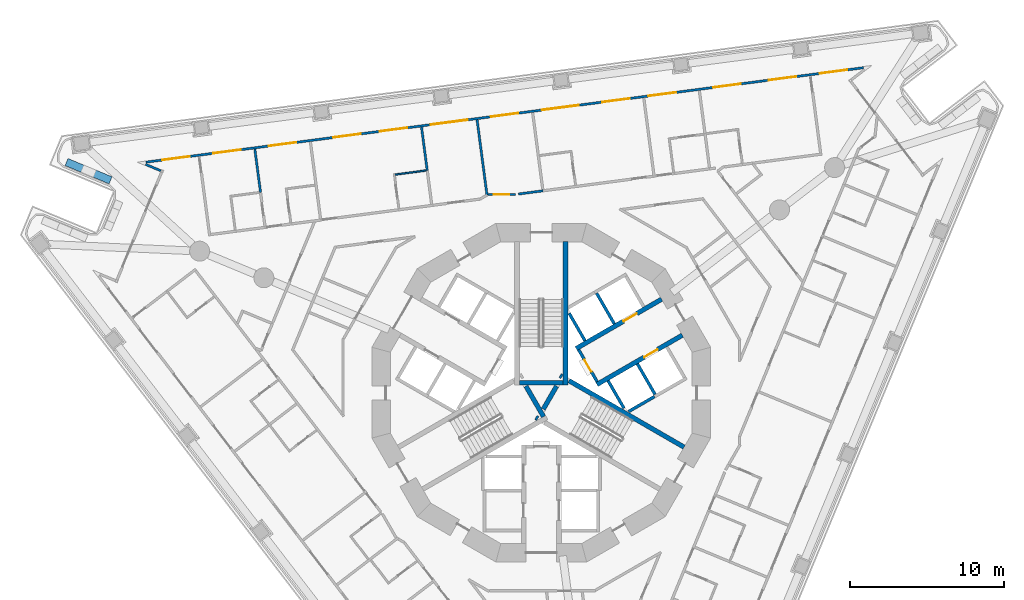
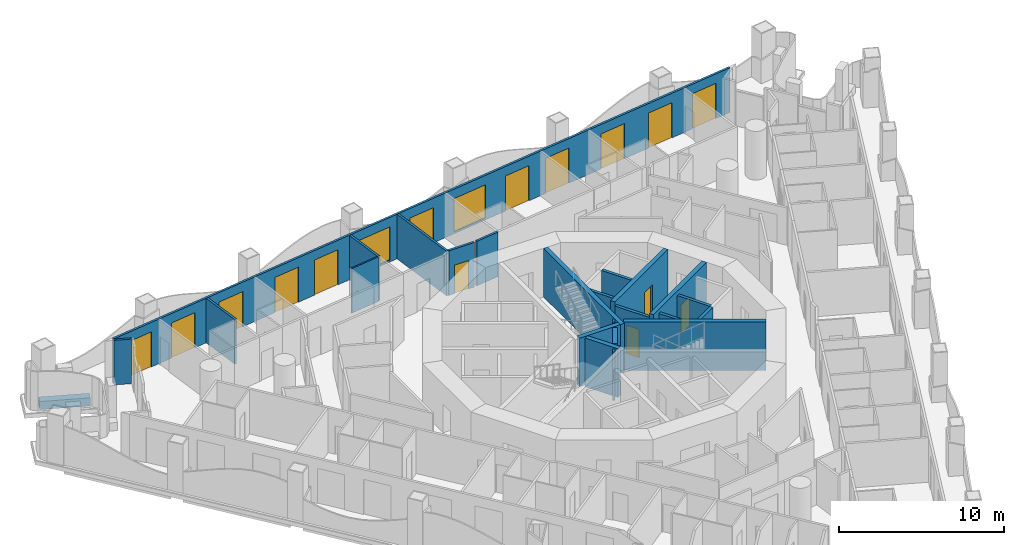
# One storey, part 8 of 19: 24 walls, 15 doors, 2 windows, 17 openings.
"""IFC4 building model written with IfcOpenShell, lengths in metres."""

from ifc_helpers import new_model, si_unit, direction, frame, frame_2d, origin, place, context, subcontext, project, spatial, polyline, rectangle, outline, extrude, material, layer, layer_set, type_object, element, fill, save


model = new_model("IFC4")

# Units and contexts
model_context = context("Model", 3, precision=1e-05, world=origin(), true_north=direction((0.0, 1.0)))
body_context = subcontext(model_context, "Body", "Model", "MODEL_VIEW")
ifc_project = project(units=[si_unit("LENGTHUNIT", "METRE"), si_unit("AREAUNIT", "SQUARE_METRE"), si_unit("VOLUMEUNIT", "CUBIC_METRE"), si_unit("PLANEANGLEUNIT", "RADIAN"), si_unit("MASSUNIT", "GRAM", prefix="KILO")], contexts=[model_context])

# Site, building, storey
site_placement = place(None, origin())
site = spatial("IfcSite", under=ifc_project, at=site_placement, CompositionType="ELEMENT")
building_placement = place(site_placement, origin())
building = spatial("IfcBuilding", under=site, at=building_placement, Name="Trine Commons Tower", CompositionType="ELEMENT")
storey_placement = place(building_placement, frame((0.0, 0.0, 75.60009765625)))
storey = spatial("IfcBuildingStorey", under=building, at=storey_placement, Name="L18", CompositionType="ELEMENT", Elevation=75.60009765625)

# Wall
ifc_material_1 = material(Name="Aluminium-framed insulated wall panel", Category="aluminium")
ifc_layer_1 = layer(ifc_material_1, 0.14990234375)
ifc_layer_set_1 = layer_set([ifc_layer_1], Name="Aluminium-framed insulated wall panel")
wall_type_1 = type_object("IfcWallType", Name="Glazed frame wall 150, EI 60", PredefinedType="SOLIDWALL", material=ifc_layer_set_1)
wall_1_placement = place(storey_placement, frame((55.376220703125, 76.883056640625, 0.0), z_axis=(0.0, 0.0, 1.0), x_axis=(-0.923901801611, 0.382629665579, 0.0)))
element("IfcWall", 1, at=wall_1_placement, inside=storey, type_object=wall_type_1, Name="Glazed frame wall R3", PredefinedType="SOLIDWALL", context=body_context, shape_type="SweptSolid", body=[
    extrude(outline(polyline([(0.110107421875, 0.074951171875), (0.110107421875, -0.074951171875), (1.19580078125, -0.074951171875), (1.19580078125, 0.074951171875), (0.110107421875, 0.074951171875)])), origin(), (0.0, 0.0, 1.0), 3.2998046875),
])

# Wall, openings, windows, doors
wall_2_placement = place(storey_placement, frame((54.142333984375, 77.464599609375, 0.0), z_axis=(0.0, 0.0, 1.0), x_axis=(0.991444696532, 0.130527444308, 0.0)))
wall_2 = element("IfcWall", 2, at=wall_2_placement, inside=storey, type_object=wall_type_1, Name="Glazed frame wall F1", PredefinedType="SOLIDWALL", context=body_context, shape_type="SweptSolid", body=[
    extrude(outline(polyline([(0.1494140625, 0.074951171875), (0.1494140625, -0.074951171875), (47.216796875, -0.074951171875), (47.216796875, 0.074951171875), (0.1494140625, 0.074951171875)])), origin(), (0.0, 0.0, 1.0), 3.2998046875),
])
opening_1_placement = place(wall_2_placement, frame((1.2216796875, 0.0, 0.0)))
opening_1 = element("IfcOpeningElement", 3, at=opening_1_placement, cuts=wall_2, Name="Opening BD-2F1-01", PredefinedType="OPENING", context=body_context, shape_type="SweptSolid", body=[
    extrude(rectangle(XDim=1.800048828125, YDim=2.60009765625, at=frame_2d((0.89990234375, 1.300048828125))), frame((0.0, 0.0849609375, 0.0), z_axis=(0.0, -1.0, 0.0), x_axis=(1.0, 0.0, 0.0)), (0.0, 0.0, 1.0), 0.169921875),
])
opening_2_placement = place(wall_2_placement, frame((4.5654296875, 0.0, 0.0)))
opening_2 = element("IfcOpeningElement", 4, at=opening_2_placement, cuts=wall_2, Name="Opening BD-2F1-02", PredefinedType="OPENING", context=body_context, shape_type="SweptSolid", body=[
    extrude(rectangle(XDim=1.800048828125, YDim=2.60009765625, at=frame_2d((0.89990234375, 1.300048828125))), frame((0.0, 0.0849609375, 0.0), z_axis=(0.0, -1.0, 0.0), x_axis=(1.0, 0.0, 0.0)), (0.0, 0.0, 1.0), 0.169921875),
])
opening_3_placement = place(wall_2_placement, frame((8.208984375, 0.0, 0.0)))
opening_3 = element("IfcOpeningElement", 5, at=opening_3_placement, cuts=wall_2, Name="Opening BD-2F1-03", PredefinedType="OPENING", context=body_context, shape_type="SweptSolid", body=[
    extrude(rectangle(XDim=1.800048828125, YDim=2.60009765625, at=frame_2d((0.89990234375, 1.300048828125))), frame((0.0, 0.0849609375, 0.0), z_axis=(0.0, -1.0, 0.0), x_axis=(1.0, 0.0, 0.0)), (0.0, 0.0, 1.0), 0.169921875),
])
opening_4_placement = place(wall_2_placement, frame((12.45263671875, 0.0, 0.0)))
opening_4 = element("IfcOpeningElement", 6, at=opening_4_placement, cuts=wall_2, Name="Opening BD-2F1-04", PredefinedType="OPENING", context=body_context, shape_type="SweptSolid", body=[
    extrude(rectangle(XDim=1.800048828125, YDim=2.60009765625, at=frame_2d((0.89990234375, 1.300048828125))), frame((0.0, 0.0849609375, 0.0), z_axis=(0.0, -1.0, 0.0), x_axis=(1.0, 0.0, 0.0)), (0.0, 0.0, 1.0), 0.169921875),
])
opening_5_placement = place(wall_2_placement, frame((15.49609375, 0.0, 0.0)))
opening_5 = element("IfcOpeningElement", 7, at=opening_5_placement, cuts=wall_2, Name="Opening BD-2F1-05", PredefinedType="OPENING", context=body_context, shape_type="SweptSolid", body=[
    extrude(rectangle(XDim=1.800048828125, YDim=2.60009765625, at=frame_2d((0.89990234375, 1.300048828125))), frame((0.0, 0.0849609375, 0.0), z_axis=(0.0, -1.0, 0.0), x_axis=(1.0, 0.0, 0.0)), (0.0, 0.0, 1.0), 0.169921875),
])
opening_6_placement = place(wall_2_placement, frame((18.83984375, 0.0, 0.14990234375)))
opening_6 = element("IfcOpeningElement", 8, at=opening_6_placement, cuts=wall_2, Name="Opening W-2F1-06", PredefinedType="OPENING", context=body_context, shape_type="SweptSolid", body=[
    extrude(rectangle(XDim=2.39990234375, YDim=2.449951171875, at=frame_2d((1.199951171875, 1.22509765625))), frame((0.0, 0.0849609375, 0.0), z_axis=(0.0, -1.0, 0.0), x_axis=(1.0, 0.0, 0.0)), (0.0, 0.0, 1.0), 0.169921875),
])
opening_7_placement = place(wall_2_placement, frame((22.783447265625, 0.0, 0.0)))
opening_7 = element("IfcOpeningElement", 9, at=opening_7_placement, cuts=wall_2, Name="Opening BD-2F1-07", PredefinedType="OPENING", context=body_context, shape_type="SweptSolid", body=[
    extrude(rectangle(XDim=1.800048828125, YDim=2.60009765625, at=frame_2d((0.89990234375, 1.300048828125))), frame((0.0, 0.0849609375, 0.0), z_axis=(0.0, -1.0, 0.0), x_axis=(1.0, 0.0, 0.0)), (0.0, 0.0, 1.0), 0.169921875),
])
opening_8_placement = place(wall_2_placement, frame((26.126953125, 0.0, 0.14990234375)))
opening_8 = element("IfcOpeningElement", 10, at=opening_8_placement, cuts=wall_2, Name="Opening W-2F1-08", PredefinedType="OPENING", context=body_context, shape_type="SweptSolid", body=[
    extrude(rectangle(XDim=2.39990234375, YDim=2.449951171875, at=frame_2d((1.199951171875, 1.22509765625))), frame((0.0, 0.0849609375, 0.0), z_axis=(0.0, -1.0, 0.0), x_axis=(1.0, 0.0, 0.0)), (0.0, 0.0, 1.0), 0.169921875),
])
opening_9_placement = place(wall_2_placement, frame((30.070556640625, 0.0, 0.0)))
opening_9 = element("IfcOpeningElement", 11, at=opening_9_placement, cuts=wall_2, Name="Opening BD-2F1-09", PredefinedType="OPENING", context=body_context, shape_type="SweptSolid", body=[
    extrude(rectangle(XDim=1.800048828125, YDim=2.60009765625, at=frame_2d((0.89990234375, 1.300048828125))), frame((0.0, 0.0849609375, 0.0), z_axis=(0.0, -1.0, 0.0), x_axis=(1.0, 0.0, 0.0)), (0.0, 0.0, 1.0), 0.169921875),
])
opening_10_placement = place(wall_2_placement, frame((33.1142578125, 0.0, 0.0)))
opening_10 = element("IfcOpeningElement", 12, at=opening_10_placement, cuts=wall_2, Name="Opening BD-2F1-10", PredefinedType="OPENING", context=body_context, shape_type="SweptSolid", body=[
    extrude(rectangle(XDim=1.800048828125, YDim=2.60009765625, at=frame_2d((0.89990234375, 1.300048828125))), frame((0.0, 0.0849609375, 0.0), z_axis=(0.0, -1.0, 0.0), x_axis=(1.0, 0.0, 0.0)), (0.0, 0.0, 1.0), 0.169921875),
])
opening_11_placement = place(wall_2_placement, frame((37.35791015625, 0.0, 0.0)))
opening_11 = element("IfcOpeningElement", 13, at=opening_11_placement, cuts=wall_2, Name="Opening BD-2F1-11", PredefinedType="OPENING", context=body_context, shape_type="SweptSolid", body=[
    extrude(rectangle(XDim=1.800048828125, YDim=2.60009765625, at=frame_2d((0.89990234375, 1.300048828125))), frame((0.0, 0.0849609375, 0.0), z_axis=(0.0, -1.0, 0.0), x_axis=(1.0, 0.0, 0.0)), (0.0, 0.0, 1.0), 0.169921875),
])
opening_12_placement = place(wall_2_placement, frame((41.00146484375, 0.0, 0.0)))
opening_12 = element("IfcOpeningElement", 14, at=opening_12_placement, cuts=wall_2, Name="Opening BD-2F1-12", PredefinedType="OPENING", context=body_context, shape_type="SweptSolid", body=[
    extrude(rectangle(XDim=1.800048828125, YDim=2.60009765625, at=frame_2d((0.89990234375, 1.300048828125))), frame((0.0, 0.0849609375, 0.0), z_axis=(0.0, -1.0, 0.0), x_axis=(1.0, 0.0, 0.0)), (0.0, 0.0, 1.0), 0.169921875),
])
opening_13_placement = place(wall_2_placement, frame((44.344970703125, 0.0, 0.0)))
opening_13 = element("IfcOpeningElement", 15, at=opening_13_placement, cuts=wall_2, Name="Opening BD-2F1-13", PredefinedType="OPENING", context=body_context, shape_type="SweptSolid", body=[
    extrude(rectangle(XDim=1.800048828125, YDim=2.60009765625, at=frame_2d((0.89990234375, 1.300048828125))), frame((0.0, 0.0849609375, 0.0), z_axis=(0.0, -1.0, 0.0), x_axis=(1.0, 0.0, 0.0)), (0.0, 0.0, 1.0), 0.169921875),
])
ifc_material_2 = material(Name="Anodised aluminium frame with double glazing", Category="aluminium")
window_type = type_object("IfcWindowType", Name="Fixed window 2400x2450", PartitioningType="SINGLE_PANEL", PredefinedType="WINDOW", material=ifc_material_2)
window_1_placement = place(opening_6_placement, origin())
window_1 = element("IfcWindow", 16, at=window_1_placement, inside=storey, type_object=window_type, Name="Window F1 6", OverallHeight=2.449951171875, OverallWidth=2.39990234375, PartitioningType="SINGLE_PANEL", PredefinedType="WINDOW", context=body_context, shape_type="SweptSolid", body=[
    extrude(rectangle(XDim=2.39990234375, YDim=2.449951171875, at=frame_2d((1.199951171875, 1.22509765625))), frame((0.0, 0.030029296875, 0.0), z_axis=(0.0, -1.0, 0.0), x_axis=(1.0, 0.0, 0.0)), (0.0, 0.0, 1.0), 0.06005859375),
])
fill(opening_6, window_1)
window_2_placement = place(opening_8_placement, origin())
window_2 = element("IfcWindow", 17, at=window_2_placement, inside=storey, type_object=window_type, Name="Window F1 8", OverallHeight=2.449951171875, OverallWidth=2.39990234375, PartitioningType="SINGLE_PANEL", PredefinedType="WINDOW", context=body_context, shape_type="SweptSolid", body=[
    extrude(rectangle(XDim=2.39990234375, YDim=2.449951171875, at=frame_2d((1.199951171875, 1.22509765625))), frame((0.0, 0.030029296875, 0.0), z_axis=(0.0, -1.0, 0.0), x_axis=(1.0, 0.0, 0.0)), (0.0, 0.0, 1.0), 0.06005859375),
])
fill(opening_8, window_2)
door_type_1 = type_object("IfcDoorType", Name="Sliding loggia door 1800x2600", OperationType="SLIDING_TO_LEFT", PredefinedType="DOOR", material=ifc_material_2)
door_1_placement = place(opening_1_placement, origin())
door_1 = element("IfcDoor", 18, at=door_1_placement, inside=storey, type_object=door_type_1, Name="Loggia door F1 1", OperationType="SLIDING_TO_LEFT", OverallHeight=2.60009765625, OverallWidth=1.800048828125, PredefinedType="DOOR", context=body_context, shape_type="SweptSolid", body=[
    extrude(rectangle(XDim=1.800048828125, YDim=2.60009765625, at=frame_2d((0.89990234375, 1.300048828125))), frame((0.0, 0.02490234375, 0.0), z_axis=(0.0, -1.0, 0.0), x_axis=(1.0, 0.0, 0.0)), (0.0, 0.0, 1.0), 0.050048828125),
])
fill(opening_1, door_1)
door_2_placement = place(opening_2_placement, origin())
door_2 = element("IfcDoor", 19, at=door_2_placement, inside=storey, type_object=door_type_1, Name="Loggia door F1 2", OperationType="SLIDING_TO_LEFT", OverallHeight=2.60009765625, OverallWidth=1.800048828125, PredefinedType="DOOR", context=body_context, shape_type="SweptSolid", body=[
    extrude(rectangle(XDim=1.800048828125, YDim=2.60009765625, at=frame_2d((0.89990234375, 1.300048828125))), frame((0.0, 0.02490234375, 0.0), z_axis=(0.0, -1.0, 0.0), x_axis=(1.0, 0.0, 0.0)), (0.0, 0.0, 1.0), 0.050048828125),
])
fill(opening_2, door_2)
door_3_placement = place(opening_3_placement, origin())
door_3 = element("IfcDoor", 20, at=door_3_placement, inside=storey, type_object=door_type_1, Name="Loggia door F1 3", OperationType="SLIDING_TO_LEFT", OverallHeight=2.60009765625, OverallWidth=1.800048828125, PredefinedType="DOOR", context=body_context, shape_type="SweptSolid", body=[
    extrude(rectangle(XDim=1.800048828125, YDim=2.60009765625, at=frame_2d((0.89990234375, 1.300048828125))), frame((0.0, 0.02490234375, 0.0), z_axis=(0.0, -1.0, 0.0), x_axis=(1.0, 0.0, 0.0)), (0.0, 0.0, 1.0), 0.050048828125),
])
fill(opening_3, door_3)
door_4_placement = place(opening_4_placement, origin())
door_4 = element("IfcDoor", 21, at=door_4_placement, inside=storey, type_object=door_type_1, Name="Loggia door F1 4", OperationType="SLIDING_TO_LEFT", OverallHeight=2.60009765625, OverallWidth=1.800048828125, PredefinedType="DOOR", context=body_context, shape_type="SweptSolid", body=[
    extrude(rectangle(XDim=1.800048828125, YDim=2.60009765625, at=frame_2d((0.89990234375, 1.300048828125))), frame((0.0, 0.02490234375, 0.0), z_axis=(0.0, -1.0, 0.0), x_axis=(1.0, 0.0, 0.0)), (0.0, 0.0, 1.0), 0.050048828125),
])
fill(opening_4, door_4)
door_5_placement = place(opening_5_placement, origin())
door_5 = element("IfcDoor", 22, at=door_5_placement, inside=storey, type_object=door_type_1, Name="Loggia door F1 5", OperationType="SLIDING_TO_LEFT", OverallHeight=2.60009765625, OverallWidth=1.800048828125, PredefinedType="DOOR", context=body_context, shape_type="SweptSolid", body=[
    extrude(rectangle(XDim=1.800048828125, YDim=2.60009765625, at=frame_2d((0.89990234375, 1.300048828125))), frame((0.0, 0.02490234375, 0.0), z_axis=(0.0, -1.0, 0.0), x_axis=(1.0, 0.0, 0.0)), (0.0, 0.0, 1.0), 0.050048828125),
])
fill(opening_5, door_5)
door_6_placement = place(opening_7_placement, origin())
door_6 = element("IfcDoor", 23, at=door_6_placement, inside=storey, type_object=door_type_1, Name="Loggia door F1 7", OperationType="SLIDING_TO_LEFT", OverallHeight=2.60009765625, OverallWidth=1.800048828125, PredefinedType="DOOR", context=body_context, shape_type="SweptSolid", body=[
    extrude(rectangle(XDim=1.800048828125, YDim=2.60009765625, at=frame_2d((0.89990234375, 1.300048828125))), frame((0.0, 0.02490234375, 0.0), z_axis=(0.0, -1.0, 0.0), x_axis=(1.0, 0.0, 0.0)), (0.0, 0.0, 1.0), 0.050048828125),
])
fill(opening_7, door_6)
door_7_placement = place(opening_9_placement, origin())
door_7 = element("IfcDoor", 24, at=door_7_placement, inside=storey, type_object=door_type_1, Name="Loggia door F1 9", OperationType="SLIDING_TO_LEFT", OverallHeight=2.60009765625, OverallWidth=1.800048828125, PredefinedType="DOOR", context=body_context, shape_type="SweptSolid", body=[
    extrude(rectangle(XDim=1.800048828125, YDim=2.60009765625, at=frame_2d((0.89990234375, 1.300048828125))), frame((0.0, 0.02490234375, 0.0), z_axis=(0.0, -1.0, 0.0), x_axis=(1.0, 0.0, 0.0)), (0.0, 0.0, 1.0), 0.050048828125),
])
fill(opening_9, door_7)
door_8_placement = place(opening_10_placement, origin())
door_8 = element("IfcDoor", 25, at=door_8_placement, inside=storey, type_object=door_type_1, Name="Loggia door F1 10", OperationType="SLIDING_TO_LEFT", OverallHeight=2.60009765625, OverallWidth=1.800048828125, PredefinedType="DOOR", context=body_context, shape_type="SweptSolid", body=[
    extrude(rectangle(XDim=1.800048828125, YDim=2.60009765625, at=frame_2d((0.89990234375, 1.300048828125))), frame((0.0, 0.02490234375, 0.0), z_axis=(0.0, -1.0, 0.0), x_axis=(1.0, 0.0, 0.0)), (0.0, 0.0, 1.0), 0.050048828125),
])
fill(opening_10, door_8)
door_9_placement = place(opening_11_placement, origin())
door_9 = element("IfcDoor", 26, at=door_9_placement, inside=storey, type_object=door_type_1, Name="Loggia door F1 11", OperationType="SLIDING_TO_LEFT", OverallHeight=2.60009765625, OverallWidth=1.800048828125, PredefinedType="DOOR", context=body_context, shape_type="SweptSolid", body=[
    extrude(rectangle(XDim=1.800048828125, YDim=2.60009765625, at=frame_2d((0.89990234375, 1.300048828125))), frame((0.0, 0.02490234375, 0.0), z_axis=(0.0, -1.0, 0.0), x_axis=(1.0, 0.0, 0.0)), (0.0, 0.0, 1.0), 0.050048828125),
])
fill(opening_11, door_9)
door_10_placement = place(opening_12_placement, origin())
door_10 = element("IfcDoor", 27, at=door_10_placement, inside=storey, type_object=door_type_1, Name="Loggia door F1 12", OperationType="SLIDING_TO_LEFT", OverallHeight=2.60009765625, OverallWidth=1.800048828125, PredefinedType="DOOR", context=body_context, shape_type="SweptSolid", body=[
    extrude(rectangle(XDim=1.800048828125, YDim=2.60009765625, at=frame_2d((0.89990234375, 1.300048828125))), frame((0.0, 0.02490234375, 0.0), z_axis=(0.0, -1.0, 0.0), x_axis=(1.0, 0.0, 0.0)), (0.0, 0.0, 1.0), 0.050048828125),
])
fill(opening_12, door_10)
door_11_placement = place(opening_13_placement, origin())
door_11 = element("IfcDoor", 28, at=door_11_placement, inside=storey, type_object=door_type_1, Name="Loggia door F1 13", OperationType="SLIDING_TO_LEFT", OverallHeight=2.60009765625, OverallWidth=1.800048828125, PredefinedType="DOOR", context=body_context, shape_type="SweptSolid", body=[
    extrude(rectangle(XDim=1.800048828125, YDim=2.60009765625, at=frame_2d((0.89990234375, 1.300048828125))), frame((0.0, 0.02490234375, 0.0), z_axis=(0.0, -1.0, 0.0), x_axis=(1.0, 0.0, 0.0)), (0.0, 0.0, 1.0), 0.050048828125),
])
fill(opening_13, door_11)

# Wall, opening, door
ifc_material_3 = material(Name="Fire-rated gypsum shaft wall system")
ifc_layer_2 = layer(ifc_material_3, 0.199951171875)
ifc_layer_set_2 = layer_set([ifc_layer_2], Name="Fire-rated gypsum shaft wall system")
wall_type_2 = type_object("IfcWallType", Name="Lobby end wall 200 mm, EI 120", PredefinedType="PARTITIONING", material=ifc_layer_set_2)
wall_3_placement = place(storey_placement, frame((83.631103515625, 63.2109375, 0.0), z_axis=(0.0, 0.0, 1.0), x_axis=(-0.50012165622, 0.865955154139, 0.0)))
wall_3 = element("IfcWall", 29, at=wall_3_placement, inside=storey, type_object=wall_type_2, Name="Lobby end wall L18", PredefinedType="PARTITIONING", context=body_context, shape_type="SweptSolid", body=[
    extrude(rectangle(XDim=2.39990234375, YDim=0.199951171875, at=frame_2d((1.199951171875, 0.0))), origin(), (0.0, 0.0, 1.0), 3.2998046875),
])
opening_14_placement = place(wall_3_placement, frame((0.749755859375, 0.0, 0.0)))
opening_14 = element("IfcOpeningElement", 30, at=opening_14_placement, cuts=wall_3, Name="Opening K05.05", PredefinedType="OPENING", context=body_context, shape_type="SweptSolid", body=[
    extrude(rectangle(XDim=0.89990234375, YDim=2.10009765625, at=frame_2d((0.449951171875, 1.050048828125))), frame((0.0, 0.10986328125, 0.0), z_axis=(0.0, -1.0, 0.0), x_axis=(1.0, 0.0, 0.0)), (0.0, 0.0, 1.0), 0.219970703125),
])
ifc_material_4 = material(Name="Steel door leaf, fire-rated", Category="steel")
door_type_2 = type_object("IfcDoorType", Name="Riser access door, single leaf 900 x 2100, FD60", OperationType="SINGLE_SWING_LEFT", PredefinedType="DOOR", material=ifc_material_4)
door_12_placement = place(opening_14_placement, frame((0.89990234375, 0.0, 0.0), z_axis=(0.0, 0.0, 1.0), x_axis=(-1.0, 0.0, 0.0)))
door_12 = element("IfcDoor", 31, at=door_12_placement, inside=storey, type_object=door_type_2, Name="Riser door, Electrical riser L18", OperationType="SINGLE_SWING_LEFT", OverallHeight=2.10009765625, OverallWidth=0.89990234375, PredefinedType="DOOR", context=body_context, shape_type="SweptSolid", body=[
    extrude(rectangle(XDim=0.89990234375, YDim=2.10009765625, at=frame_2d((0.449951171875, 1.050048828125))), frame((0.0, 0.02490234375, 0.0), z_axis=(0.0, -1.0, 0.0), x_axis=(1.0, 0.0, 0.0)), (0.0, 0.0, 1.0), 0.050048828125),
])
fill(opening_14, door_12)

# Wall
ifc_material_5 = material(Name="Planter trough, precast concrete C40/50", Category="concrete")
ifc_layer_3 = layer(ifc_material_5, 0.5)
ifc_layer_set_3 = layer_set([ifc_layer_3], Name="Planter trough, precast concrete C40/50")
wall_type_3 = type_object("IfcWallType", Name="Planter trough 500x600", PredefinedType="PARAPET", material=ifc_layer_set_3)
wall_4_placement = place(storey_placement, frame((51.99853515625, 76.306640625, 0.0), z_axis=(0.0, 0.0, 1.0), x_axis=(-0.923883411188, 0.382674068277, 0.0)))
element("IfcWall", 32, at=wall_4_placement, inside=storey, type_object=wall_type_3, Name="Planter 3", PredefinedType="PARAPET", context=body_context, shape_type="SweptSolid", body=[
    extrude(rectangle(XDim=3.099853515625, YDim=0.5, at=frame_2d((1.5498046875, 0.0))), origin(), (0.0, 0.0, 1.0), 0.599853515625),
])

# Wall, opening, door
ifc_material_6 = material(Name="Concrete C80/95", Category="concrete")
ifc_layer_4 = layer(ifc_material_6, 0.300048828125)
ifc_layer_set_4 = layer_set([ifc_layer_4], Name="Concrete C80/95")
wall_type_4 = type_object("IfcWallType", Name="RC shear wall 300 mm, C80/95", PredefinedType="SHEAR", material=ifc_layer_set_4)
wall_5_placement = place(storey_placement, frame((82.26904296875, 65.368896484375, 0.0), z_axis=(0.0, 0.0, 1.0), x_axis=(0.866022631842, 0.500004801114, 0.0)))
wall_5 = element("IfcWall", 33, at=wall_5_placement, inside=storey, type_object=wall_type_4, Name="Core cross wall SWA-05 L18", PredefinedType="SHEAR", context=body_context, shape_type="SweptSolid", body=[
    extrude(rectangle(XDim=6.412109375, YDim=0.300048828125, at=frame_2d((3.2060546875, 0.0))), origin(), (0.0, 0.0, 1.0), 3.599853515625),
])
opening_15_placement = place(wall_5_placement, frame((3.55029296875, 0.0, 0.0)))
opening_15 = element("IfcOpeningElement", 34, at=opening_15_placement, cuts=wall_5, Name="Opening LD1", PredefinedType="OPENING", context=body_context, shape_type="SweptSolid", body=[
    extrude(rectangle(XDim=1.0, YDim=2.10009765625, at=frame_2d((0.5, 1.050048828125))), frame((0.0, 0.159912109375, 0.0), z_axis=(0.0, -1.0, 0.0), x_axis=(1.0, 0.0, 0.0)), (0.0, 0.0, 1.0), 0.320068359375),
])
ifc_material_7 = material(Name="Stainless steel sliding door leaves", Category="steel")
door_type_3 = type_object("IfcDoorType", Name="Lift landing door, centre-opening sliding 1000 x 2100, FD90", OperationType="DOUBLE_DOOR_SLIDING", PredefinedType="DOOR", material=ifc_material_7)
door_13_placement = place(opening_15_placement, origin())
door_13 = element("IfcDoor", 35, at=door_13_placement, inside=storey, type_object=door_type_3, Name="Lift landing door LR1 L18", OperationType="DOUBLE_DOOR_SLIDING", OverallHeight=2.10009765625, OverallWidth=1.0, PredefinedType="DOOR", context=body_context, shape_type="SweptSolid", body=[
    extrude(rectangle(XDim=1.0, YDim=2.10009765625, at=frame_2d((0.5, 1.050048828125))), frame((0.0, 0.02490234375, 0.0), z_axis=(0.0, -1.0, 0.0), x_axis=(1.0, 0.0, 0.0)), (0.0, 0.0, 1.0), 0.050048828125),
])
fill(opening_15, door_13)

wall_6_placement = place(storey_placement, frame((83.618896484375, 63.031005859375, 0.0), z_axis=(0.0, 0.0, 1.0), x_axis=(0.866032150378, 0.499988314375, 0.0)))
wall_6 = element("IfcWall", 36, at=wall_6_placement, inside=storey, type_object=wall_type_4, Name="Core cross wall SWA-06 L18", PredefinedType="SHEAR", context=body_context, shape_type="SweptSolid", body=[
    extrude(rectangle(XDim=6.412353515625, YDim=0.300048828125, at=frame_2d((3.2060546875, 0.0))), origin(), (0.0, 0.0, 1.0), 3.599853515625),
])
opening_16_placement = place(wall_6_placement, frame((3.55029296875, 0.0, 0.0)))
opening_16 = element("IfcOpeningElement", 37, at=opening_16_placement, cuts=wall_6, Name="Opening LD2", PredefinedType="OPENING", context=body_context, shape_type="SweptSolid", body=[
    extrude(rectangle(XDim=1.0, YDim=2.10009765625, at=frame_2d((0.5, 1.050048828125))), frame((0.0, 0.159912109375, 0.0), z_axis=(0.0, -1.0, 0.0), x_axis=(1.0, 0.0, 0.0)), (0.0, 0.0, 1.0), 0.320068359375),
])
door_14_placement = place(opening_16_placement, origin())
door_14 = element("IfcDoor", 38, at=door_14_placement, inside=storey, type_object=door_type_3, Name="Lift landing door LR2 L18", OperationType="DOUBLE_DOOR_SLIDING", OverallHeight=2.10009765625, OverallWidth=1.0, PredefinedType="DOOR", context=body_context, shape_type="SweptSolid", body=[
    extrude(rectangle(XDim=1.0, YDim=2.10009765625, at=frame_2d((0.5, 1.050048828125))), frame((0.0, 0.02490234375, 0.0), z_axis=(0.0, -1.0, 0.0), x_axis=(1.0, 0.0, 0.0)), (0.0, 0.0, 1.0), 0.050048828125),
])
fill(opening_16, door_14)

# Walls
wall_7_placement = place(storey_placement, frame((79.0029296875, 62.926025390625, 0.0), z_axis=(0.0, 0.0, 1.0), x_axis=(0.499965247104, -0.866045467449, 0.0)))
element("IfcWall", 39, at=wall_7_placement, inside=storey, type_object=wall_type_4, Name="Core cross wall SWA-10 L18", PredefinedType="SHEAR", context=body_context, shape_type="SweptSolid", body=[
    extrude(rectangle(XDim=2.292236328125, YDim=0.300048828125, at=frame_2d((1.14599609375, 0.0))), origin(), (0.0, 0.0, 1.0), 3.599853515625),
])
wall_8_placement = place(storey_placement, frame((79.64599609375, 60.885986328125, 0.0), z_axis=(0.0, 0.0, 1.0), x_axis=(0.867331893649, -0.497730234424, 0.0)))
element("IfcWall", 40, at=wall_8_placement, inside=storey, type_object=wall_type_4, Name="Core cross wall SWA-11 L18", PredefinedType="SHEAR", context=body_context, shape_type="SweptSolid", body=[
    extrude(rectangle(XDim=0.148681640625, YDim=0.300048828125, at=frame_2d((0.07421875, 0.0))), origin(), (0.0, 0.0, 1.0), 3.599853515625),
])
wall_9_placement = place(storey_placement, frame((80.1298828125, 61.424072265625, 0.0), z_axis=(0.0, 0.0, 1.0), x_axis=(0.500014901547, 0.866016800201, 0.0)))
element("IfcWall", 41, at=wall_9_placement, inside=storey, type_object=wall_type_4, Name="Core cross wall SWA-12 L18", PredefinedType="SHEAR", context=body_context, shape_type="SweptSolid", body=[
    extrude(rectangle(XDim=1.734375, YDim=0.300048828125, at=frame_2d((0.8671875, 0.0))), origin(), (0.0, 0.0, 1.0), 3.599853515625),
])
wall_10_placement = place(storey_placement, frame((81.220947265625, 63.614013671875, 0.0), z_axis=(0.0, 0.0, 1.0), x_axis=(0.867737973955, -0.497021939713, 0.0)))
element("IfcWall", 42, at=wall_10_placement, inside=storey, type_object=wall_type_4, Name="Core cross wall SWA-15 L18", PredefinedType="SHEAR", context=body_context, shape_type="SweptSolid", body=[
    extrude(rectangle(XDim=0.14892578125, YDim=0.300048828125, at=frame_2d((0.074462890625, 0.0))), origin(), (0.0, 0.0, 1.0), 3.599853515625),
])
wall_11_placement = place(storey_placement, frame((81.425048828125, 63.15087890625, 0.0), z_axis=(0.0, 0.0, 1.0), x_axis=(-1.0, 0.0, 0.0)))
element("IfcWall", 43, at=wall_11_placement, inside=storey, type_object=wall_type_4, Name="Core cross wall SWA-16 L18", PredefinedType="SHEAR", context=body_context, shape_type="SweptSolid", body=[
    extrude(rectangle(XDim=2.85009765625, YDim=0.300048828125, at=frame_2d((1.425048828125, 0.0))), origin(), (0.0, 0.0, 1.0), 3.599853515625),
])
wall_12_placement = place(storey_placement, frame((81.574951171875, 63.0009765625, 0.0), z_axis=(0.0, 0.0, 1.0), x_axis=(0.0, 1.0, 0.0)))
element("IfcWall", 44, at=wall_12_placement, inside=storey, type_object=wall_type_4, Name="Core cross wall SWA-17 L18", PredefinedType="SHEAR", context=body_context, shape_type="SweptSolid", body=[
    extrude(rectangle(XDim=9.31103515625, YDim=0.300048828125, at=frame_2d((4.655517578125, 0.0))), origin(), (0.0, 0.0, 1.0), 3.599853515625),
])
wall_13_placement = place(storey_placement, frame((81.800048828125, 63.280029296875, 0.0), z_axis=(0.0, 0.0, 1.0), x_axis=(0.865965399159, -0.500103916661, 0.0)))
element("IfcWall", 45, at=wall_13_placement, inside=storey, type_object=wall_type_4, Name="Core cross wall SWA-18 L18", PredefinedType="SHEAR", context=body_context, shape_type="SweptSolid", body=[
    extrude(rectangle(XDim=8.642333984375, YDim=0.300048828125, at=frame_2d((4.3212890625, 0.0))), origin(), (0.0, 0.0, 1.0), 3.599853515625),
])
ifc_layer_5 = layer(ifc_material_3, 0.199951171875)
ifc_layer_set_5 = layer_set([ifc_layer_5], Name="Fire-rated gypsum shaft wall system")
wall_type_5 = type_object("IfcWallType", Name="Shaft wall 200 mm, EI 120", PredefinedType="PARTITIONING", material=ifc_layer_set_5)
wall_14_placement = place(storey_placement, frame((82.843994140625, 65.8740234375, 0.0), z_axis=(0.0, 0.0, 1.0), x_axis=(-0.499865770674, 0.866102887253, 0.0)))
element("IfcWall", 46, at=wall_14_placement, inside=storey, type_object=wall_type_5, Name="Shaft wall L18", PredefinedType="PARTITIONING", context=body_context, shape_type="SweptSolid", body=[
    extrude(rectangle(XDim=2.064453125, YDim=0.199951171875, at=frame_2d((1.0322265625, 0.0))), origin(), (0.0, 0.0, 1.0), 3.2998046875),
])
wall_15_placement = place(storey_placement, frame((84.343994140625, 63.27587890625, 0.0), z_axis=(0.0, 0.0, 1.0), x_axis=(0.500271688072, -0.86586848777, 0.0)))
element("IfcWall", 47, at=wall_15_placement, inside=storey, type_object=wall_type_5, Name="Shaft wall L18", PredefinedType="PARTITIONING", context=body_context, shape_type="SweptSolid", body=[
    extrude(rectangle(XDim=2.064697265625, YDim=0.199951171875, at=frame_2d((1.0322265625, 0.0))), origin(), (0.0, 0.0, 1.0), 3.2998046875),
])
wall_16_placement = place(storey_placement, frame((84.7490234375, 66.97412109375, 0.0), z_axis=(0.0, 0.0, 1.0), x_axis=(-0.500136062276, 0.86594683394, 0.0)))
element("IfcWall", 48, at=wall_16_placement, inside=storey, type_object=wall_type_5, Name="Shaft wall L18", PredefinedType="PARTITIONING", context=body_context, shape_type="SweptSolid", body=[
    extrude(rectangle(XDim=2.299072265625, YDim=0.199951171875, at=frame_2d((1.1494140625, 0.0))), origin(), (0.0, 0.0, 1.0), 3.2998046875),
])
wall_17_placement = place(storey_placement, frame((85.675048828125, 61.27294921875, 0.0), z_axis=(0.0, 0.0, 1.0), x_axis=(0.865780634835, 0.500423712812, 0.0)))
element("IfcWall", 49, at=wall_17_placement, inside=storey, type_object=wall_type_5, Name="Shaft wall L18", PredefinedType="PARTITIONING", context=body_context, shape_type="SweptSolid", body=[
    extrude(rectangle(XDim=1.948486328125, YDim=0.199951171875, at=frame_2d((0.97412109375, 0.0))), origin(), (0.0, 0.0, 1.0), 3.2998046875),
])
wall_18_placement = place(storey_placement, frame((86.2490234375, 64.3759765625, 0.0), z_axis=(0.0, 0.0, 1.0), x_axis=(0.500136062276, -0.86594683394, 0.0)))
element("IfcWall", 50, at=wall_18_placement, inside=storey, type_object=wall_type_5, Name="Shaft wall L18", PredefinedType="PARTITIONING", context=body_context, shape_type="SweptSolid", body=[
    extrude(rectangle(XDim=2.299072265625, YDim=0.199951171875, at=frame_2d((1.1494140625, 0.0))), origin(), (0.0, 0.0, 1.0), 3.2998046875),
])
ifc_material_8 = material(Name="Gypsum plasterboard on steel stud", Category="steel")
ifc_layer_6 = layer(ifc_material_8, 0.14990234375)
ifc_layer_set_6 = layer_set([ifc_layer_6], Name="Gypsum plasterboard on steel stud")
wall_type_6 = type_object("IfcWallType", Name="Unit and corridor wall 150 mm, EI 60", PredefinedType="PARTITIONING", material=ifc_layer_set_6)
for number, where, z_axis, x_axis, name in (
    (51, (61.377197265625, 78.34130859375, 0.0), (0.0, 0.0, 1.0), (0.130648074846, -0.9914288076, 0.0), "Partition 017"),
    (52, (72.214111328125, 79.768310546875, 0.0), (0.0, 0.0, 1.0), (0.130648074846, -0.9914288076, 0.0), "Partition 056"),
):
    element("IfcWall", number, at=place(storey_placement, frame(where, z_axis=z_axis, x_axis=x_axis)), inside=storey, type_object=wall_type_6, Name=name, PredefinedType="PARTITIONING", context=body_context, shape_type="SweptSolid", body=[
        extrude(rectangle(XDim=2.838623046875, YDim=0.14990234375, at=frame_2d((1.41943359375, 0.0))), origin(), (0.0, 0.0, 1.0), 3.2998046875),
    ])
wall_19_placement = place(storey_placement, frame((75.8271484375, 80.244384765625, 0.0), z_axis=(0.0, 0.0, 1.0), x_axis=(0.130426407647, -0.991457993154, 0.0)))
element("IfcWall", 53, at=wall_19_placement, inside=storey, type_object=wall_type_6, Name="Partition 066", PredefinedType="PARTITIONING", context=body_context, shape_type="SweptSolid", body=[
    extrude(rectangle(XDim=4.943603515625, YDim=0.14990234375, at=frame_2d((2.4716796875, 0.0))), origin(), (0.0, 0.0, 1.0), 3.2998046875),
])

# Wall, opening, door
wall_20_placement = place(storey_placement, frame((76.547119140625, 75.386962890625, 0.0), z_axis=(0.0, 0.0, 1.0), x_axis=(1.0, 0.0, 0.0)))
wall_20 = element("IfcWall", 54, at=wall_20_placement, inside=storey, type_object=wall_type_6, Name="Partition 069", PredefinedType="PARTITIONING", context=body_context, shape_type="SweptSolid", body=[
    extrude(rectangle(XDim=1.788818359375, YDim=0.14990234375, at=frame_2d((0.89453125, 0.0))), origin(), (0.0, 0.0, 1.0), 3.2998046875),
])
opening_17_placement = place(wall_20_placement, frame((0.3779296875, 0.0, 0.0)))
opening_17 = element("IfcOpeningElement", 55, at=opening_17_placement, cuts=wall_20, Name="Opening D-2C11", PredefinedType="OPENING", context=body_context, shape_type="SweptSolid", body=[
    extrude(rectangle(XDim=1.0, YDim=2.10009765625, at=frame_2d((0.5, 1.050048828125))), frame((0.0, 0.0849609375, 0.0), z_axis=(0.0, -1.0, 0.0), x_axis=(1.0, 0.0, 0.0)), (0.0, 0.0, 1.0), 0.169921875),
])
ifc_material_9 = material(Name="Painted timber", Category="wood")
door_type_4 = type_object("IfcDoorType", Name="Amenity room door 1000 x 2100, NOT RATED", OperationType="NOTDEFINED", PredefinedType="DOOR", material=ifc_material_9)
door_15_placement = place(opening_17_placement, origin())
door_15 = element("IfcDoor", 56, at=door_15_placement, inside=storey, type_object=door_type_4, Name="Door D-2C11", OperationType="SINGLE_SWING_LEFT", OverallHeight=2.10009765625, OverallWidth=1.0, PredefinedType="DOOR", context=body_context, shape_type="SweptSolid", body=[
    extrude(rectangle(XDim=1.0, YDim=2.10009765625, at=frame_2d((0.5, 1.050048828125))), frame((0.0, 0.02490234375, 0.0), z_axis=(0.0, -1.0, 0.0), x_axis=(1.0, 0.0, 0.0)), (0.0, 0.0, 1.0), 0.050048828125),
])
fill(opening_17, door_15)

# Walls
wall_21_placement = place(storey_placement, frame((78.508056640625, 75.4130859375, 0.0), z_axis=(0.0, 0.0, 1.0), x_axis=(0.991484025307, 0.13022836696, 0.0)))
element("IfcWall", 57, at=wall_21_placement, inside=storey, type_object=wall_type_6, Name="Partition 073", PredefinedType="PARTITIONING", context=body_context, shape_type="SweptSolid", body=[
    extrude(rectangle(XDim=1.61962890625, YDim=0.14990234375, at=frame_2d((0.809814453125, 0.0))), origin(), (0.0, 0.0, 1.0), 3.2998046875),
])
ifc_layer_7 = layer(ifc_material_8, 0.10009765625)
ifc_layer_set_7 = layer_set([ifc_layer_7], Name="Gypsum plasterboard on steel stud")
wall_type_7 = type_object("IfcWallType", Name="Unit partition 100 mm, no rating", PredefinedType="PARTITIONING", material=ifc_layer_set_7)
wall_22_placement = place(storey_placement, frame((70.502685546875, 76.679443359375, 0.0), z_axis=(0.0, 0.0, 1.0), x_axis=(0.991424726931, 0.130679037451, 0.0)))
element("IfcWall", 58, at=wall_22_placement, inside=storey, type_object=wall_type_7, Name="Partition 050", PredefinedType="PARTITIONING", context=body_context, shape_type="SweptSolid", body=[
    extrude(rectangle(XDim=2.025146484375, YDim=0.10009765625, at=frame_2d((1.0126953125, 0.0))), origin(), (0.0, 0.0, 1.0), 3.2998046875),
])

save(model, "model.ifc")
